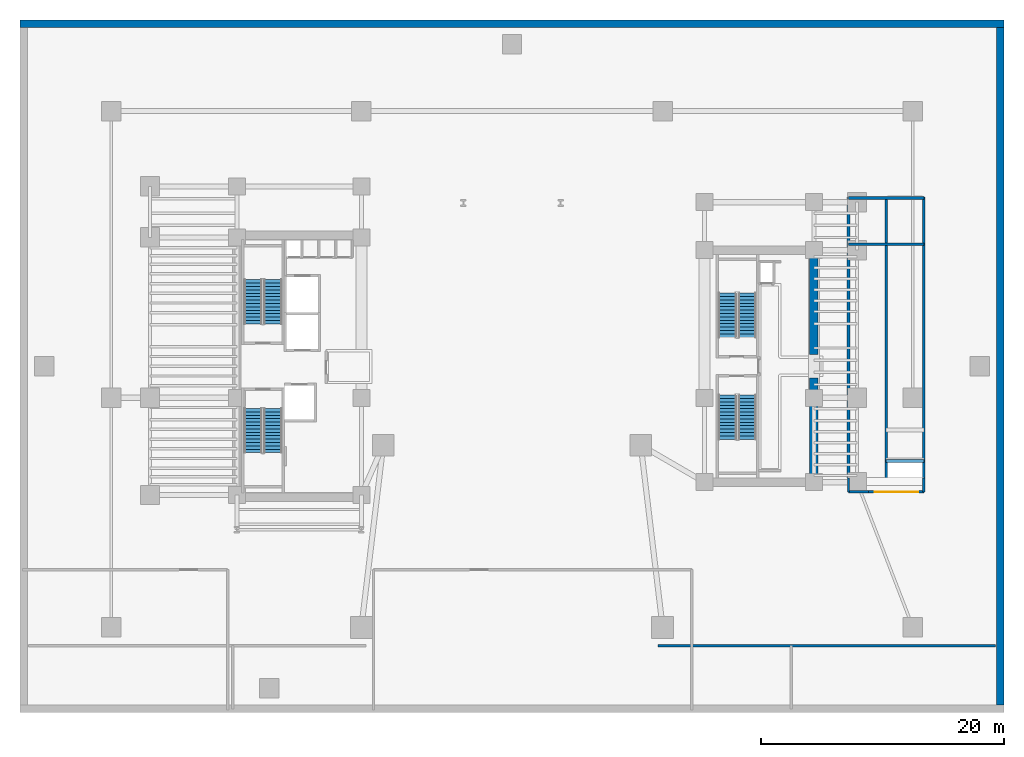
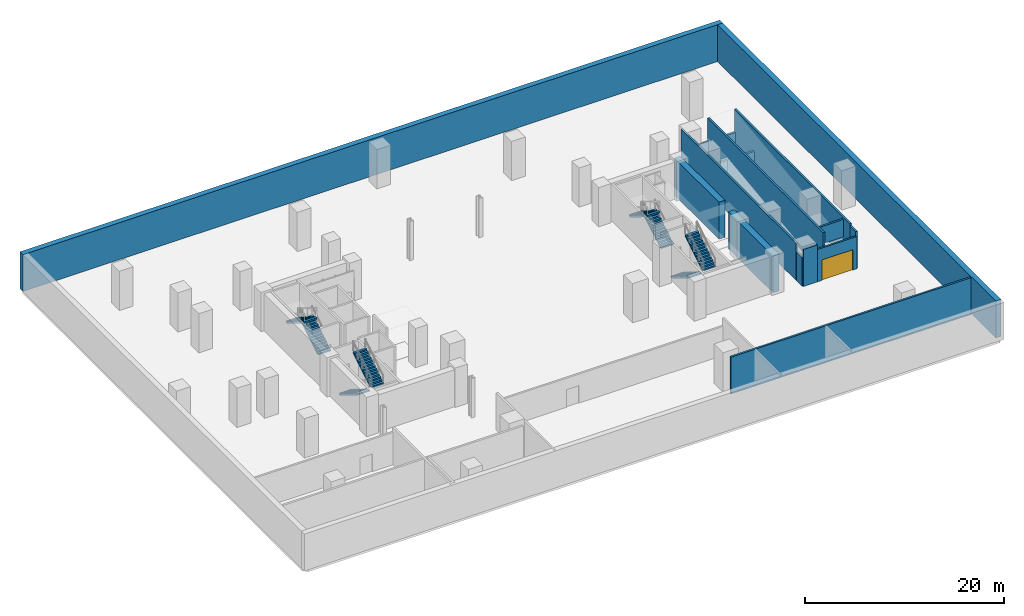
# One storey, part 6 of 10: 15 walls, 8 stair flights, 1 door, 1 opening, 4 elements without a shape of their own.
"""IFC4 building model written with IfcOpenShell, lengths in metres."""

from ifc_helpers import new_model, si_unit, direction, frame, frame_2d, origin, place, context, subcontext, project, spatial, polyline, rectangle, outline, extrude, material, layer, layer_set, type_object, element, fill, aggregate, save


model = new_model("IFC4")

# Units and contexts
model_context = context("Model", 3, precision=1e-05, world=origin(), true_north=direction((0.0, 1.0)))
body_context = subcontext(model_context, "Body", "Model", "MODEL_VIEW")
ifc_project = project(units=[si_unit("LENGTHUNIT", "METRE"), si_unit("AREAUNIT", "SQUARE_METRE"), si_unit("VOLUMEUNIT", "CUBIC_METRE"), si_unit("PLANEANGLEUNIT", "RADIAN"), si_unit("MASSUNIT", "GRAM", prefix="KILO")], contexts=[model_context])

# Site, building, storey
site_placement = place(None, origin())
site = spatial("IfcSite", under=ifc_project, at=site_placement, CompositionType="ELEMENT")
building_placement = place(site_placement, origin())
building = spatial("IfcBuilding", under=site, at=building_placement, Name="Valdorenza Pilgrim Sanctuary Tower", CompositionType="ELEMENT")
storey_placement = place(building_placement, frame((0.0, 0.0, -4.800048828125)))
storey = spatial("IfcBuildingStorey", under=building, at=storey_placement, Name="B01", CompositionType="ELEMENT", Elevation=-4.800048828125)

# Walls
ifc_material_1 = material(Name="Concrete C60/75", Category="concrete")
ifc_layer_1 = layer(ifc_material_1, 0.699951171875, Name="Concrete C60/75")
ifc_layer_set_1 = layer_set([ifc_layer_1], Name="Concrete C60/75")
wall_type_1 = type_object("IfcWallType", Name="WAL-COR-700", PredefinedType="SHEAR", material=ifc_layer_set_1)
for number, where, z_axis, x_axis, name in (
    (1, (24.85009765625, -9.89990234375, 0.0), (0.0, 0.0, 1.0), (0.0, 1.0, 0.0), "B01 Split Core B Shear Wall ES"),
    (2, (24.85009765625, 0.949951171875, 0.0), (0.0, 0.0, 1.0), (0.0, 1.0, 0.0), "B01 Split Core B Shear Wall EN"),
):
    element("IfcWall", number, at=place(storey_placement, frame(where, z_axis=z_axis, x_axis=x_axis)), inside=storey, type_object=wall_type_1, Name=name, PredefinedType="SHEAR", context=body_context, shape_type="SweptSolid", body=[
        extrude(rectangle(XDim=8.949951171875, YDim=0.699951171875, at=frame_2d((4.47509765625, 0.0))), origin(), (0.0, 0.0, 1.0), 4.52001953125),
    ])
ifc_material_2 = material(Name="Concrete C50/60", Category="concrete")
ifc_layer_2 = layer(ifc_material_2, 0.60009765625, Name="Concrete C50/60")
ifc_layer_set_2 = layer_set([ifc_layer_2], Name="Concrete C50/60")
wall_type_2 = type_object("IfcWallType", Name="WAL-RET-600", PredefinedType="SOLIDWALL", material=ifc_layer_set_2)
wall_1_placement = place(storey_placement, frame((-40.5, 28.199951171875, 0.0), z_axis=(0.0, 0.0, 1.0), x_axis=(1.0, 0.0, 0.0)))
element("IfcWall", 3, at=wall_1_placement, inside=storey, type_object=wall_type_2, Name="B01 Basement Retaining Wall N", PredefinedType="SOLIDWALL", context=body_context, shape_type="SweptSolid", body=[
    extrude(rectangle(XDim=81.0, YDim=0.60009765625, at=frame_2d((40.5, 0.0))), origin(), (0.0, 0.0, 1.0), 4.52001953125),
])
wall_2_placement = place(storey_placement, frame((40.199951171875, -27.89990234375, 0.0), z_axis=(0.0, 0.0, 1.0), x_axis=(0.0, 1.0, 0.0)))
element("IfcWall", 4, at=wall_2_placement, inside=storey, type_object=wall_type_2, Name="B01 Basement Retaining Wall E", PredefinedType="SOLIDWALL", context=body_context, shape_type="SweptSolid", body=[
    extrude(rectangle(XDim=55.7998046875, YDim=0.60009765625, at=frame_2d((27.89990234375, 0.0))), origin(), (0.0, 0.0, 1.0), 4.52001953125),
])
ifc_material_3 = material(Name="Autoclaved aerated concrete blockwork", Category="masonry")
ifc_layer_3 = layer(ifc_material_3, 0.199951171875, Name="Autoclaved aerated concrete blockwork")
ifc_layer_set_3 = layer_set([ifc_layer_3], Name="Autoclaved aerated concrete blockwork")
wall_type_3 = type_object("IfcWallType", Name="WAL-SHF-200", PredefinedType="MOVABLE", material=ifc_layer_set_3)
wall_3_placement = place(storey_placement, frame((27.699951171875, -10.35009765625, 0.0), z_axis=(0.0, 0.0, 1.0), x_axis=(0.0, 1.0, 0.0)))
element("IfcWall", 5, at=wall_3_placement, inside=storey, type_object=wall_type_3, Name="B01 B01 Car Park Ramp Throat West Wall", PredefinedType="MOVABLE", context=body_context, shape_type="SweptSolid", body=[
    extrude(rectangle(XDim=1.150146484375, YDim=0.199951171875, at=frame_2d((0.5751953125, 0.0))), origin(), (0.0, 0.0, 1.0), 3.55712890625),
])
wall_4_placement = place(storey_placement, frame((33.89990234375, -10.35009765625, 0.0), z_axis=(0.0, 0.0, 1.0), x_axis=(0.0, 1.0, 0.0)))
element("IfcWall", 6, at=wall_4_placement, inside=storey, type_object=wall_type_3, Name="B01 B01 Car Park Ramp Throat East Wall", PredefinedType="MOVABLE", context=body_context, shape_type="SweptSolid", body=[
    extrude(rectangle(XDim=1.150146484375, YDim=0.199951171875, at=frame_2d((0.5751953125, 0.0))), origin(), (0.0, 0.0, 1.0), 4.52001953125),
])
wall_5_placement = place(storey_placement, frame((27.699951171875, -10.35009765625, 0.0), z_axis=(0.0, 0.0, 1.0), x_axis=(1.0, 0.0, 0.0)))
element("IfcWall", 7, at=wall_5_placement, inside=storey, type_object=wall_type_3, Name="B01 B01 Car Park Ramp Pier Wall", PredefinedType="MOVABLE", context=body_context, shape_type="SweptSolid", body=[
    extrude(rectangle(XDim=1.650146484375, YDim=0.199951171875, at=frame_2d((0.8251953125, 0.0))), origin(), (0.0, 0.0, 1.0), 4.52001953125),
])

# Wall, opening, door
wall_6_placement = place(storey_placement, frame((29.35009765625, -10.35009765625, 0.0), z_axis=(0.0, 0.0, 1.0), x_axis=(1.0, 0.0, 0.0)))
wall_6 = element("IfcWall", 8, at=wall_6_placement, inside=storey, type_object=wall_type_3, Name="B01 B01 Car Park Vehicle Entry Portal Wall", PredefinedType="MOVABLE", context=body_context, shape_type="SweptSolid", body=[
    extrude(rectangle(XDim=4.5498046875, YDim=0.199951171875, at=frame_2d((2.27490234375, 0.0))), origin(), (0.0, 0.0, 1.0), 3.9560546875),
])
opening_placement = place(wall_6_placement, frame((0.5, 0.0, 0.0)))
opening = element("IfcOpeningElement", 9, at=opening_placement, cuts=wall_6, Name="Opening VG-01", PredefinedType="OPENING", context=body_context, shape_type="SweptSolid", body=[
    extrude(rectangle(XDim=3.60009765625, YDim=2.5, at=frame_2d((1.800048828125, 1.25))), frame((0.0, 0.11474609375, 0.0), z_axis=(0.0, -1.0, 0.0), x_axis=(1.0, 0.0, 0.0)), (0.0, 0.0, 1.0), 0.229736328125),
])
ifc_material_4 = material(Name="Champagne anodised aluminium", Category="aluminium")
door_type = type_object("IfcDoorType", Name="DR-VEH-GATE", OperationType="ROLLINGUP", PredefinedType="GATE", material=ifc_material_4)
door_placement = place(opening_placement, origin())
door = element("IfcDoor", 10, at=door_placement, inside=storey, type_object=door_type, Name="B01 Underground Car Park Vehicle Entry Gate", OperationType="ROLLINGUP", OverallHeight=2.5, OverallWidth=3.60009765625, PredefinedType="GATE", context=body_context, shape_type="SweptSolid", body=[
    extrude(rectangle(XDim=3.60009765625, YDim=2.5, at=frame_2d((1.800048828125, 1.25))), frame((0.0, 0.02490234375, 0.0), z_axis=(0.0, -1.0, 0.0), x_axis=(1.0, 0.0, 0.0)), (0.0, 0.0, 1.0), 0.050048828125),
])
fill(opening, door)

# Walls
ifc_material_5 = material(Name="Concrete C40/50", Category="concrete")
ifc_layer_4 = layer(ifc_material_5, 0.219970703125, Name="Concrete C40/50")
ifc_layer_set_4 = layer_set([ifc_layer_4], Name="Concrete C40/50")
wall_type_4 = type_object("IfcWallType", Name="WAL-STR-SHF-220", PredefinedType="SHEAR", material=ifc_layer_set_4)
wall_7_placement = place(storey_placement, frame((12.0, -23.0, 0.0), z_axis=(0.0, 0.0, 1.0), x_axis=(1.0, 0.0, 0.0)))
element("IfcWall", 11, at=wall_7_placement, inside=storey, type_object=wall_type_4, Name="B01 Forecourt Sidewalk Bearing Wall SE", PredefinedType="SHEAR", context=body_context, shape_type="SweptSolid", body=[
    extrude(rectangle(XDim=27.800048828125, YDim=0.219970703125, at=frame_2d((13.89990234375, 0.0))), origin(), (0.0, 0.0, 1.0), 4.52001953125),
])
wall_8_placement = place(storey_placement, frame((27.699951171875, -9.199951171875, 0.0), z_axis=(0.0, 0.0, 1.0), x_axis=(0.0, 1.0, 0.0)))
element("IfcWall", 12, at=wall_8_placement, inside=storey, type_object=wall_type_4, Name="B01 Vehicle Ramp Structural Support Wall W", PredefinedType="SHEAR", context=body_context, shape_type="SweptSolid", body=[
    extrude(rectangle(XDim=23.14990234375, YDim=0.219970703125, at=frame_2d((11.574951171875, 0.0))), origin(), (0.0, 0.0, 1.0), 4.5400390625),
])
wall_9_placement = place(storey_placement, frame((33.89990234375, -9.199951171875, 0.0), z_axis=(0.0, 0.0, 1.0), x_axis=(0.0, 1.0, 0.0)))
element("IfcWall", 13, at=wall_9_placement, inside=storey, type_object=wall_type_4, Name="B01 Vehicle Ramp Structural Support Wall E", PredefinedType="SHEAR", context=body_context, shape_type="SweptSolid", body=[
    extrude(rectangle(XDim=23.14990234375, YDim=0.219970703125, at=frame_2d((11.574951171875, 0.0))), origin(), (0.0, 0.0, 1.0), 4.780029296875),
])
wall_10_placement = place(storey_placement, frame((27.699951171875, 13.85009765625, 0.0), z_axis=(0.0, 0.0, 1.0), x_axis=(1.0, 0.0, 0.0)))
element("IfcWall", 14, at=wall_10_placement, inside=storey, type_object=wall_type_4, Name="B01 Vehicle Ramp Structural Support Wall N", PredefinedType="SHEAR", context=body_context, shape_type="SweptSolid", body=[
    extrude(rectangle(XDim=6.199951171875, YDim=0.219970703125, at=frame_2d((3.10009765625, 0.0))), origin(), (0.0, 0.0, 1.0), 2.0400390625),
])
wall_11_placement = place(storey_placement, frame((30.800048828125, -9.199951171875, 0.0), z_axis=(0.0, 0.0, 1.0), x_axis=(0.0, 1.0, 0.0)))
element("IfcWall", 15, at=wall_11_placement, inside=storey, type_object=wall_type_4, Name="B01 Vehicle Ramp Structural Support Wall MID", PredefinedType="SHEAR", context=body_context, shape_type="SweptSolid", body=[
    extrude(rectangle(XDim=23.14990234375, YDim=0.219970703125, at=frame_2d((11.574951171875, 0.0))), origin(), (0.0, 0.0, 1.0), 4.780029296875),
])
wall_12_placement = place(storey_placement, frame((27.699951171875, 10.050048828125, 0.0), z_axis=(0.0, 0.0, 1.0), x_axis=(1.0, 0.0, 0.0)))
element("IfcWall", 16, at=wall_12_placement, inside=storey, type_object=wall_type_4, Name="B01 Vehicle Ramp Mid-Landing Bearing Wall", PredefinedType="SHEAR", context=body_context, shape_type="SweptSolid", body=[
    extrude(rectangle(XDim=6.199951171875, YDim=0.219970703125, at=frame_2d((3.10009765625, 0.0))), origin(), (0.0, 0.0, 1.0), 2.0400390625),
])
wall_13_placement = place(storey_placement, frame((30.800048828125, -7.800048828125, 2.400146484375), z_axis=(0.0, 0.0, 1.0), x_axis=(1.0, 0.0, 0.0)))
element("IfcWall", 17, at=wall_13_placement, inside=storey, type_object=wall_type_4, Name="B01 Vehicle Ramp South Headwall", PredefinedType="SHEAR", context=body_context, shape_type="SweptSolid", body=[
    extrude(rectangle(XDim=3.099853515625, YDim=0.219970703125, at=frame_2d((1.5498046875, 0.0))), origin(), (0.0, 0.0, 1.0), 2.139892578125),
])

# Stair, stair flights
stair_type = type_object("IfcStairType", Name="STR-DOG-CORE", PredefinedType="HALF_TURN_STAIR", material=ifc_material_5)
stair_1_placement = place(storey_placement, origin())
stair_1 = element("IfcStair", 18, at=stair_1_placement, inside=storey, type_object=stair_type, Name="B01 ST-A1", PredefinedType="HALF_TURN_STAIR")
stair_flight_type = type_object("IfcStairFlightType", Name="STF-RC-1400", PredefinedType="STRAIGHT", material=ifc_material_5)
stair_flight_1_placement = place(storey_placement, frame((-19.679931640625, 3.47998046875, 0.0), z_axis=(0.0, 0.0, 1.0), x_axis=(0.0, 1.0, 0.0)))
stair_flight_1 = element("IfcStairFlight", 19, at=stair_flight_1_placement, type_object=stair_flight_type, Name="ST-A1 flight 1", NumberOfRisers=14, NumberOfTreads=13, PredefinedType="STRAIGHT", RiserHeight=0.171428571, TreadLength=0.28, context=body_context, shape_type="SweptSolid", body=[
    extrude(outline(polyline([(0.0, 0.0), (0.0, 0.17138671875), (0.280029296875, 0.17138671875), (0.280029296875, 0.3427734375), (0.56005859375, 0.3427734375), (0.56005859375, 0.514404296875), (0.840087890625, 0.514404296875), (0.840087890625, 0.685791015625), (1.1201171875, 0.685791015625), (1.1201171875, 0.857177734375), (1.39990234375, 0.857177734375), (1.39990234375, 1.028564453125), (1.679931640625, 1.028564453125), (1.679931640625, 1.199951171875), (1.9599609375, 1.199951171875), (1.9599609375, 1.371337890625), (2.239990234375, 1.371337890625), (2.239990234375, 1.54296875), (2.52001953125, 1.54296875), (2.52001953125, 1.71435546875), (2.800048828125, 1.71435546875), (2.800048828125, 1.8857421875), (3.080078125, 1.8857421875), (3.080078125, 2.05712890625), (3.360107421875, 2.05712890625), (3.360107421875, 2.228515625), (3.639892578125, 2.228515625), (3.639892578125, 2.39990234375), (3.639892578125, 2.052734375), (0.287109375, 0.0), (0.0, 0.0)])), frame((0.0, 0.739990234375, 0.0), z_axis=(0.0, -1.0, 0.0), x_axis=(1.0, 0.0, 0.0)), (0.0, 0.0, 1.0), 1.47998046875),
])
stair_flight_2_placement = place(storey_placement, frame((-21.31005859375, 7.1201171875, 2.400146484375), z_axis=(0.0, 0.0, 1.0), x_axis=(0.0, -1.0, 0.0)))
stair_flight_2 = element("IfcStairFlight", 20, at=stair_flight_2_placement, type_object=stair_flight_type, Name="ST-A1 flight 2", NumberOfRisers=14, NumberOfTreads=13, PredefinedType="STRAIGHT", RiserHeight=0.171428571, TreadLength=0.28, context=body_context, shape_type="SweptSolid", body=[
    extrude(outline(polyline([(0.0, 0.0), (0.0, 0.17138671875), (0.280029296875, 0.17138671875), (0.280029296875, 0.3427734375), (0.56005859375, 0.3427734375), (0.56005859375, 0.514404296875), (0.840087890625, 0.514404296875), (0.840087890625, 0.685791015625), (1.1201171875, 0.685791015625), (1.1201171875, 0.857177734375), (1.39990234375, 0.857177734375), (1.39990234375, 1.028564453125), (1.679931640625, 1.028564453125), (1.679931640625, 1.199951171875), (1.9599609375, 1.199951171875), (1.9599609375, 1.371337890625), (2.239990234375, 1.371337890625), (2.239990234375, 1.54296875), (2.52001953125, 1.54296875), (2.52001953125, 1.71435546875), (2.800048828125, 1.71435546875), (2.800048828125, 1.8857421875), (3.080078125, 1.8857421875), (3.080078125, 2.05712890625), (3.360107421875, 2.05712890625), (3.360107421875, 2.228515625), (3.639892578125, 2.228515625), (3.639892578125, 2.39990234375), (3.639892578125, 2.052734375), (0.287109375, 0.0), (0.0, 0.0)])), frame((0.0, 0.739990234375, 0.0), z_axis=(0.0, -1.0, 0.0), x_axis=(1.0, 0.0, 0.0)), (0.0, 0.0, 1.0), 1.47998046875),
])
aggregate(stair_1, [stair_flight_1, stair_flight_2])

stair_2_placement = place(storey_placement, origin())
stair_2 = element("IfcStair", 21, at=stair_2_placement, inside=storey, type_object=stair_type, Name="B01 ST-A2", PredefinedType="HALF_TURN_STAIR")
stair_flight_3_placement = place(storey_placement, frame((-21.31005859375, -3.47998046875, 0.0), z_axis=(0.0, 0.0, 1.0), x_axis=(0.0, -1.0, 0.0)))
stair_flight_3 = element("IfcStairFlight", 22, at=stair_flight_3_placement, type_object=stair_flight_type, Name="ST-A2 flight 1", NumberOfRisers=14, NumberOfTreads=13, PredefinedType="STRAIGHT", RiserHeight=0.171428571, TreadLength=0.28, context=body_context, shape_type="SweptSolid", body=[
    extrude(outline(polyline([(0.0, 0.0), (0.0, 0.17138671875), (0.280029296875, 0.17138671875), (0.280029296875, 0.3427734375), (0.56005859375, 0.3427734375), (0.56005859375, 0.514404296875), (0.840087890625, 0.514404296875), (0.840087890625, 0.685791015625), (1.1201171875, 0.685791015625), (1.1201171875, 0.857177734375), (1.39990234375, 0.857177734375), (1.39990234375, 1.028564453125), (1.679931640625, 1.028564453125), (1.679931640625, 1.199951171875), (1.9599609375, 1.199951171875), (1.9599609375, 1.371337890625), (2.239990234375, 1.371337890625), (2.239990234375, 1.54296875), (2.52001953125, 1.54296875), (2.52001953125, 1.71435546875), (2.800048828125, 1.71435546875), (2.800048828125, 1.8857421875), (3.080078125, 1.8857421875), (3.080078125, 2.05712890625), (3.360107421875, 2.05712890625), (3.360107421875, 2.228515625), (3.639892578125, 2.228515625), (3.639892578125, 2.39990234375), (3.639892578125, 2.052734375), (0.287109375, 0.0), (0.0, 0.0)])), frame((0.0, 0.739990234375, 0.0), z_axis=(0.0, -1.0, 0.0), x_axis=(1.0, 0.0, 0.0)), (0.0, 0.0, 1.0), 1.47998046875),
])
stair_flight_4_placement = place(storey_placement, frame((-19.679931640625, -7.1201171875, 2.400146484375), z_axis=(0.0, 0.0, 1.0), x_axis=(0.0, 1.0, 0.0)))
stair_flight_4 = element("IfcStairFlight", 23, at=stair_flight_4_placement, type_object=stair_flight_type, Name="ST-A2 flight 2", NumberOfRisers=14, NumberOfTreads=13, PredefinedType="STRAIGHT", RiserHeight=0.171428571, TreadLength=0.28, context=body_context, shape_type="SweptSolid", body=[
    extrude(outline(polyline([(0.0, 0.0), (0.0, 0.17138671875), (0.280029296875, 0.17138671875), (0.280029296875, 0.3427734375), (0.56005859375, 0.3427734375), (0.56005859375, 0.514404296875), (0.840087890625, 0.514404296875), (0.840087890625, 0.685791015625), (1.1201171875, 0.685791015625), (1.1201171875, 0.857177734375), (1.39990234375, 0.857177734375), (1.39990234375, 1.028564453125), (1.679931640625, 1.028564453125), (1.679931640625, 1.199951171875), (1.9599609375, 1.199951171875), (1.9599609375, 1.371337890625), (2.239990234375, 1.371337890625), (2.239990234375, 1.54296875), (2.52001953125, 1.54296875), (2.52001953125, 1.71435546875), (2.800048828125, 1.71435546875), (2.800048828125, 1.8857421875), (3.080078125, 1.8857421875), (3.080078125, 2.05712890625), (3.360107421875, 2.05712890625), (3.360107421875, 2.228515625), (3.639892578125, 2.228515625), (3.639892578125, 2.39990234375), (3.639892578125, 2.052734375), (0.287109375, 0.0), (0.0, 0.0)])), frame((0.0, 0.739990234375, 0.0), z_axis=(0.0, -1.0, 0.0), x_axis=(1.0, 0.0, 0.0)), (0.0, 0.0, 1.0), 1.47998046875),
])
aggregate(stair_2, [stair_flight_3, stair_flight_4])

stair_3_placement = place(storey_placement, origin())
stair_3 = element("IfcStair", 24, at=stair_3_placement, inside=storey, type_object=stair_type, Name="B01 ST-B1", PredefinedType="HALF_TURN_STAIR")
stair_flight_5_placement = place(storey_placement, frame((19.3701171875, 2.3798828125, 0.0), z_axis=(0.0, 0.0, 1.0), x_axis=(0.0, 1.0, 0.0)))
stair_flight_5 = element("IfcStairFlight", 25, at=stair_flight_5_placement, type_object=stair_flight_type, Name="ST-B1 flight 1", NumberOfRisers=14, NumberOfTreads=13, PredefinedType="STRAIGHT", RiserHeight=0.171428571, TreadLength=0.28, context=body_context, shape_type="SweptSolid", body=[
    extrude(outline(polyline([(0.0, 0.0), (0.0, 0.17138671875), (0.280029296875, 0.17138671875), (0.280029296875, 0.3427734375), (0.56005859375, 0.3427734375), (0.56005859375, 0.514404296875), (0.840087890625, 0.514404296875), (0.840087890625, 0.685791015625), (1.1201171875, 0.685791015625), (1.1201171875, 0.857177734375), (1.39990234375, 0.857177734375), (1.39990234375, 1.028564453125), (1.679931640625, 1.028564453125), (1.679931640625, 1.199951171875), (1.9599609375, 1.199951171875), (1.9599609375, 1.371337890625), (2.239990234375, 1.371337890625), (2.239990234375, 1.54296875), (2.52001953125, 1.54296875), (2.52001953125, 1.71435546875), (2.800048828125, 1.71435546875), (2.800048828125, 1.8857421875), (3.080078125, 1.8857421875), (3.080078125, 2.05712890625), (3.360107421875, 2.05712890625), (3.360107421875, 2.228515625), (3.639892578125, 2.228515625), (3.639892578125, 2.39990234375), (3.639892578125, 2.052734375), (0.287109375, 0.0), (0.0, 0.0)])), frame((0.0, 0.739990234375, 0.0), z_axis=(0.0, -1.0, 0.0), x_axis=(1.0, 0.0, 0.0)), (0.0, 0.0, 1.0), 1.47998046875),
])
stair_flight_6_placement = place(storey_placement, frame((17.739990234375, 6.02001953125, 2.400146484375), z_axis=(0.0, 0.0, 1.0), x_axis=(0.0, -1.0, 0.0)))
stair_flight_6 = element("IfcStairFlight", 26, at=stair_flight_6_placement, type_object=stair_flight_type, Name="ST-B1 flight 2", NumberOfRisers=14, NumberOfTreads=13, PredefinedType="STRAIGHT", RiserHeight=0.171428571, TreadLength=0.28, context=body_context, shape_type="SweptSolid", body=[
    extrude(outline(polyline([(0.0, 0.0), (0.0, 0.17138671875), (0.280029296875, 0.17138671875), (0.280029296875, 0.3427734375), (0.56005859375, 0.3427734375), (0.56005859375, 0.514404296875), (0.840087890625, 0.514404296875), (0.840087890625, 0.685791015625), (1.1201171875, 0.685791015625), (1.1201171875, 0.857177734375), (1.39990234375, 0.857177734375), (1.39990234375, 1.028564453125), (1.679931640625, 1.028564453125), (1.679931640625, 1.199951171875), (1.9599609375, 1.199951171875), (1.9599609375, 1.371337890625), (2.239990234375, 1.371337890625), (2.239990234375, 1.54296875), (2.52001953125, 1.54296875), (2.52001953125, 1.71435546875), (2.800048828125, 1.71435546875), (2.800048828125, 1.8857421875), (3.080078125, 1.8857421875), (3.080078125, 2.05712890625), (3.360107421875, 2.05712890625), (3.360107421875, 2.228515625), (3.639892578125, 2.228515625), (3.639892578125, 2.39990234375), (3.639892578125, 2.052734375), (0.287109375, 0.0), (0.0, 0.0)])), frame((0.0, 0.739990234375, 0.0), z_axis=(0.0, -1.0, 0.0), x_axis=(1.0, 0.0, 0.0)), (0.0, 0.0, 1.0), 1.47998046875),
])
aggregate(stair_3, [stair_flight_5, stair_flight_6])

stair_4_placement = place(storey_placement, origin())
stair_4 = element("IfcStair", 27, at=stair_4_placement, inside=storey, type_object=stair_type, Name="B01 ST-B2", PredefinedType="HALF_TURN_STAIR")
stair_flight_7_placement = place(storey_placement, frame((17.739990234375, -2.3798828125, 0.0), z_axis=(0.0, 0.0, 1.0), x_axis=(0.0, -1.0, 0.0)))
stair_flight_7 = element("IfcStairFlight", 28, at=stair_flight_7_placement, type_object=stair_flight_type, Name="ST-B2 flight 1", NumberOfRisers=14, NumberOfTreads=13, PredefinedType="STRAIGHT", RiserHeight=0.171428571, TreadLength=0.28, context=body_context, shape_type="SweptSolid", body=[
    extrude(outline(polyline([(0.0, 0.0), (0.0, 0.17138671875), (0.280029296875, 0.17138671875), (0.280029296875, 0.3427734375), (0.56005859375, 0.3427734375), (0.56005859375, 0.514404296875), (0.840087890625, 0.514404296875), (0.840087890625, 0.685791015625), (1.1201171875, 0.685791015625), (1.1201171875, 0.857177734375), (1.39990234375, 0.857177734375), (1.39990234375, 1.028564453125), (1.679931640625, 1.028564453125), (1.679931640625, 1.199951171875), (1.9599609375, 1.199951171875), (1.9599609375, 1.371337890625), (2.239990234375, 1.371337890625), (2.239990234375, 1.54296875), (2.52001953125, 1.54296875), (2.52001953125, 1.71435546875), (2.800048828125, 1.71435546875), (2.800048828125, 1.8857421875), (3.080078125, 1.8857421875), (3.080078125, 2.05712890625), (3.360107421875, 2.05712890625), (3.360107421875, 2.228515625), (3.639892578125, 2.228515625), (3.639892578125, 2.39990234375), (3.639892578125, 2.052734375), (0.287109375, 0.0), (0.0, 0.0)])), frame((0.0, 0.739990234375, 0.0), z_axis=(0.0, -1.0, 0.0), x_axis=(1.0, 0.0, 0.0)), (0.0, 0.0, 1.0), 1.47998046875),
])
stair_flight_8_placement = place(storey_placement, frame((19.3701171875, -6.02001953125, 2.400146484375), z_axis=(0.0, 0.0, 1.0), x_axis=(0.0, 1.0, 0.0)))
stair_flight_8 = element("IfcStairFlight", 29, at=stair_flight_8_placement, type_object=stair_flight_type, Name="ST-B2 flight 2", NumberOfRisers=14, NumberOfTreads=13, PredefinedType="STRAIGHT", RiserHeight=0.171428571, TreadLength=0.28, context=body_context, shape_type="SweptSolid", body=[
    extrude(outline(polyline([(0.0, 0.0), (0.0, 0.17138671875), (0.280029296875, 0.17138671875), (0.280029296875, 0.3427734375), (0.56005859375, 0.3427734375), (0.56005859375, 0.514404296875), (0.840087890625, 0.514404296875), (0.840087890625, 0.685791015625), (1.1201171875, 0.685791015625), (1.1201171875, 0.857177734375), (1.39990234375, 0.857177734375), (1.39990234375, 1.028564453125), (1.679931640625, 1.028564453125), (1.679931640625, 1.199951171875), (1.9599609375, 1.199951171875), (1.9599609375, 1.371337890625), (2.239990234375, 1.371337890625), (2.239990234375, 1.54296875), (2.52001953125, 1.54296875), (2.52001953125, 1.71435546875), (2.800048828125, 1.71435546875), (2.800048828125, 1.8857421875), (3.080078125, 1.8857421875), (3.080078125, 2.05712890625), (3.360107421875, 2.05712890625), (3.360107421875, 2.228515625), (3.639892578125, 2.228515625), (3.639892578125, 2.39990234375), (3.639892578125, 2.052734375), (0.287109375, 0.0), (0.0, 0.0)])), frame((0.0, 0.739990234375, 0.0), z_axis=(0.0, -1.0, 0.0), x_axis=(1.0, 0.0, 0.0)), (0.0, 0.0, 1.0), 1.47998046875),
])
aggregate(stair_4, [stair_flight_7, stair_flight_8])

save(model, "model.ifc")
